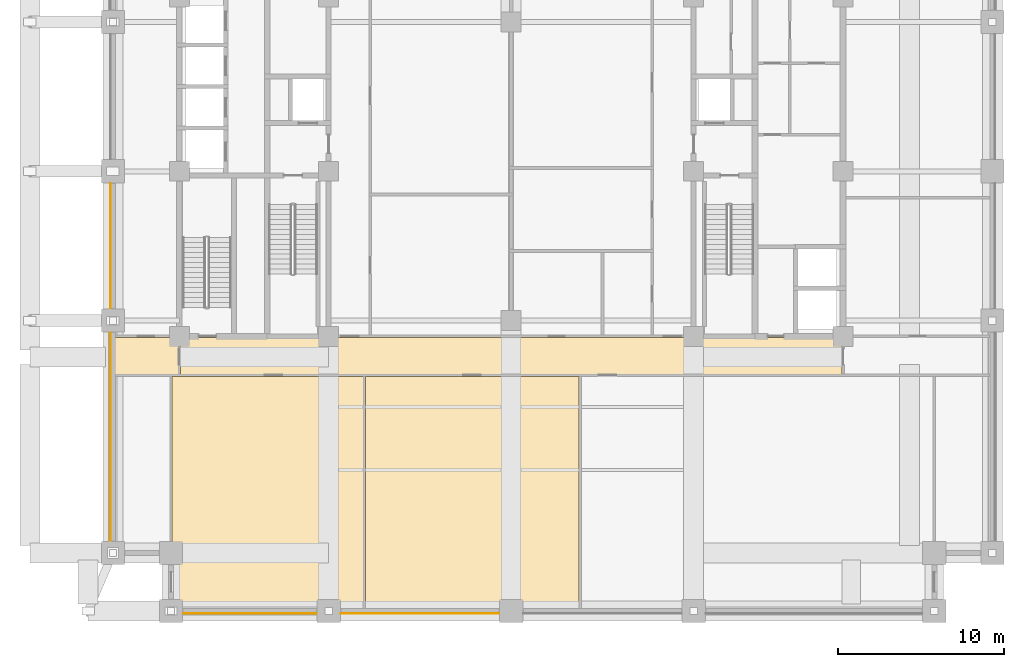
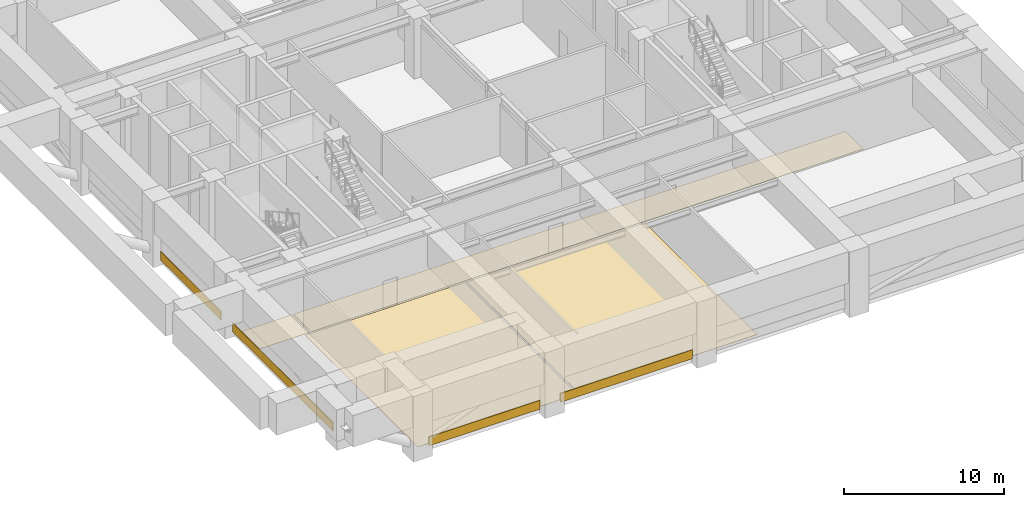
# One storey, part 7 of 11: 8 coverings.
"""IFC4 building model written with IfcOpenShell, lengths in metres."""

from ifc_helpers import new_model, si_unit, direction, frame, frame_2d, origin, place, context, subcontext, project, spatial, polyline, rectangle, outline, extrude, material, layer, layer_set, type_object, element, save


model = new_model("IFC4")

# Units and contexts
model_context = context("Model", 3, precision=1e-05, world=origin(), true_north=direction((0.0, 1.0)))
body_context = subcontext(model_context, "Body", "Model", "MODEL_VIEW")
ifc_project = project(units=[si_unit("LENGTHUNIT", "METRE"), si_unit("AREAUNIT", "SQUARE_METRE"), si_unit("VOLUMEUNIT", "CUBIC_METRE"), si_unit("PLANEANGLEUNIT", "RADIAN"), si_unit("MASSUNIT", "GRAM", prefix="KILO")], contexts=[model_context])

# Site, building, storey
site_placement = place(None, origin())
site = spatial("IfcSite", under=ifc_project, at=site_placement, CompositionType="ELEMENT")
building_placement = place(site_placement, origin())
building = spatial("IfcBuilding", under=site, at=building_placement, Name="Zulmaris Gate Convention Tower", CompositionType="ELEMENT")
storey_placement = place(building_placement, frame((0.0, 0.0, 52.18994140625)))
storey = spatial("IfcBuildingStorey", under=building, at=storey_placement, Name="L12", CompositionType="ELEMENT", Elevation=52.18994140625)

# Coverings
ifc_material_1 = material(Name="Precast concrete C40/50", Category="concrete")
ifc_layer_1 = layer(ifc_material_1, 0.0400390625, Name="Precast concrete C40/50")
ifc_layer_set_1 = layer_set([ifc_layer_1], Name="Precast concrete C40/50")
covering_type_1 = type_object("IfcCoveringType", Name="CLAD-SPANDREL-PRECAST", PredefinedType="CLADDING", material=ifc_layer_set_1)
covering_1_placement = place(storey_placement, frame((-19.77001953125, -26.64990234375, 0.0), z_axis=(0.0, 0.0, 1.0), x_axis=(1.0, 0.0, 0.0)))
element("IfcCovering", 1, at=covering_1_placement, inside=storey, type_object=covering_type_1, Name="CLD-L12-S-0_0", PredefinedType="CLADDING", context=body_context, shape_type="SweptSolid", body=[
    extrude(rectangle(XDim=8.0400390625, YDim=0.0400390625, at=frame_2d((4.02001953125, 0.0))), origin(), (0.0, 0.0, 1.0), 0.679931640625),
])
covering_2_placement = place(storey_placement, frame((-10.27001953125, -26.64990234375, 0.0), z_axis=(0.0, 0.0, 1.0), x_axis=(1.0, 0.0, 0.0)))
element("IfcCovering", 2, at=covering_2_placement, inside=storey, type_object=covering_type_1, Name="CLD-L12-S-1_0", PredefinedType="CLADDING", context=body_context, shape_type="SweptSolid", body=[
    extrude(rectangle(XDim=9.5400390625, YDim=0.0400390625, at=frame_2d((4.77001953125, 0.0))), origin(), (0.0, 0.0, 1.0), 0.679931640625),
])
covering_3_placement = place(storey_placement, frame((-24.14990234375, -9.72998046875, 0.0), z_axis=(0.0, 0.0, 1.0), x_axis=(0.0, -1.0, 0.0)))
element("IfcCovering", 3, at=covering_3_placement, inside=storey, type_object=covering_type_1, Name="CLD-L12-W-0_0", PredefinedType="CLADDING", context=body_context, shape_type="SweptSolid", body=[
    extrude(rectangle(XDim=12.5400390625, YDim=0.0400390625, at=frame_2d((6.27001953125, 0.0))), origin(), (0.0, 0.0, 1.0), 0.679931640625),
])
covering_4_placement = place(storey_placement, frame((-24.14990234375, -0.72998046875, 0.0), z_axis=(0.0, 0.0, 1.0), x_axis=(0.0, -1.0, 0.0)))
element("IfcCovering", 4, at=covering_4_placement, inside=storey, type_object=covering_type_1, Name="CLD-L12-W-1_0", PredefinedType="CLADDING", context=body_context, shape_type="SweptSolid", body=[
    extrude(rectangle(XDim=7.5400390625, YDim=0.0400390625, at=frame_2d((3.77001953125, 0.0))), origin(), (0.0, 0.0, 1.0), 0.679931640625),
])
ifc_material_2 = material(Name="Woven Acoustic Wool Carpet Tile")
ifc_layer_2 = layer(ifc_material_2, 0.02001953125, Name="Woven Acoustic Wool Carpet Tile")
ifc_layer_set_2 = layer_set([ifc_layer_2], Name="Woven Acoustic Wool Carpet Tile")
covering_type_2 = type_object("IfcCoveringType", Name="FLR-CARPET-12", PredefinedType="FLOORING", material=ifc_layer_set_2)
covering_5_placement = place(storey_placement, origin())
element("IfcCovering", 5, at=covering_5_placement, inside=storey, type_object=covering_type_2, Name="FLR-L12-R30", PredefinedType="FLOORING", context=body_context, shape_type="SweptSolid", body=[
    extrude(outline(polyline([(-19.93994140625, -12.239990234375), (19.93994140625, -12.239990234375), (19.93994140625, -10.010009765625), (-19.93994140625, -10.010009765625), (-19.93994140625, -12.239990234375)])), origin(), (0.0, 0.0, 1.0), 0.02001953125),
])
covering_6_placement = place(storey_placement, origin())
element("IfcCovering", 6, at=covering_6_placement, inside=storey, type_object=covering_type_2, Name="FLR-L12-R39", PredefinedType="FLOORING", context=body_context, shape_type="SweptSolid", body=[
    extrude(outline(polyline([(-20.43994140625, -26.43994140625), (-8.909912109375, -26.43994140625), (-8.909912109375, -12.360107421875), (-20.43994140625, -12.360107421875), (-20.43994140625, -26.43994140625)])), origin(), (0.0, 0.0, 1.0), 0.02001953125),
])
covering_7_placement = place(storey_placement, origin())
element("IfcCovering", 7, at=covering_7_placement, inside=storey, type_object=covering_type_2, Name="FLR-L12-R40", PredefinedType="FLOORING", context=body_context, shape_type="SweptSolid", body=[
    extrude(outline(polyline([(-8.7900390625, -26.43994140625), (4.090087890625, -26.43994140625), (4.090087890625, -12.360107421875), (-8.7900390625, -12.360107421875), (-8.7900390625, -26.43994140625)])), origin(), (0.0, 0.0, 1.0), 0.02001953125),
])
covering_8_placement = place(storey_placement, origin())
element("IfcCovering", 8, at=covering_8_placement, inside=storey, type_object=covering_type_2, Name="FLR-L12-R49", PredefinedType="FLOORING", context=body_context, shape_type="SweptSolid", body=[
    extrude(outline(polyline([(-23.93994140625, -12.239990234375), (-20.06005859375, -12.239990234375), (-20.06005859375, -10.010009765625), (-23.93994140625, -10.010009765625), (-23.93994140625, -12.239990234375)])), origin(), (0.0, 0.0, 1.0), 0.02001953125),
])

save(model, "model.ifc")
